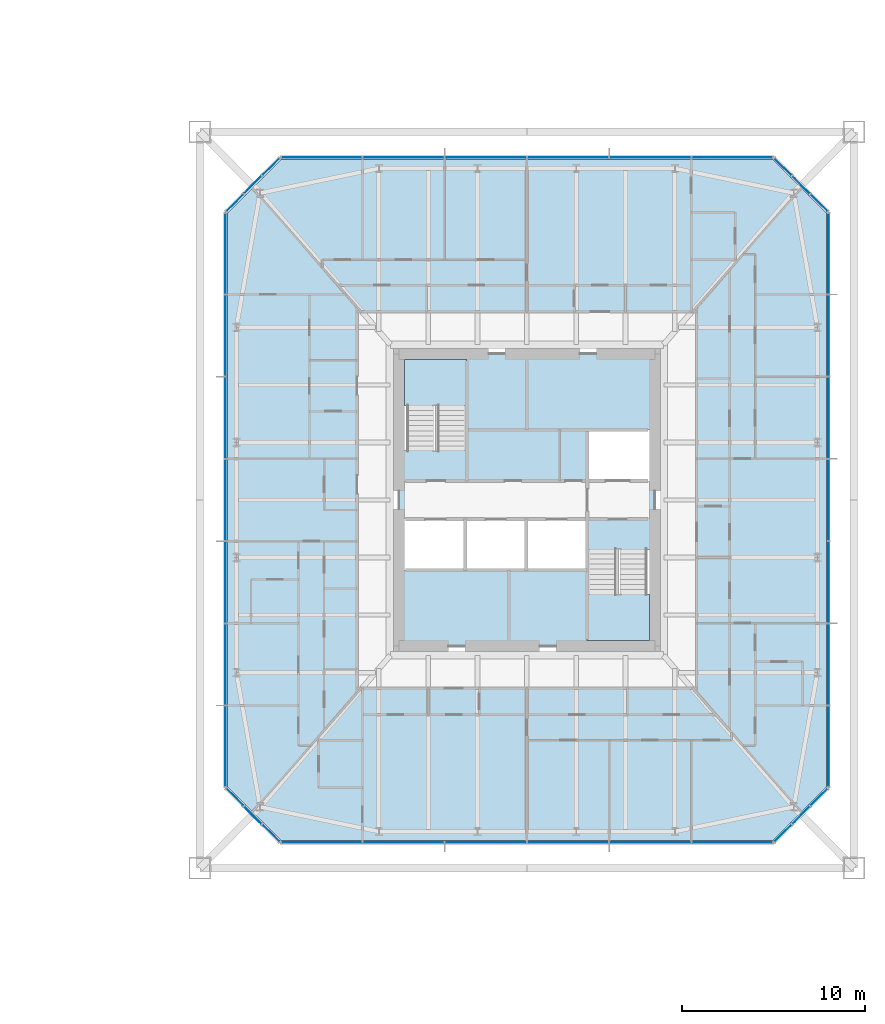
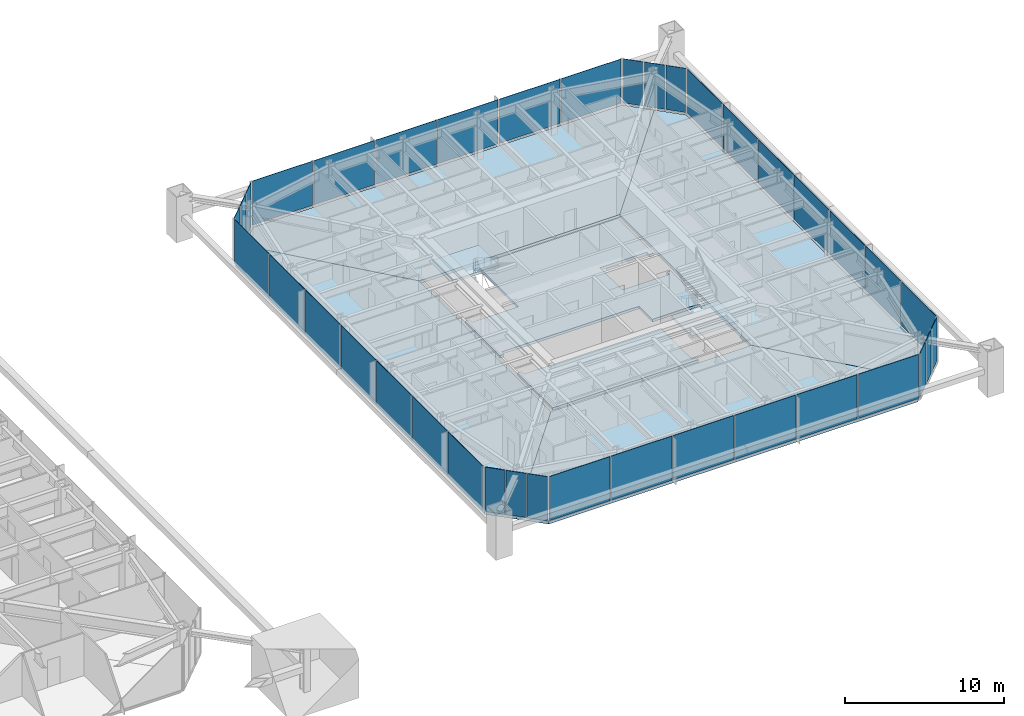
# One storey, part 14 of 27: 38 plates, 8 slabs, 10 elements without a shape of their own.
"""IFC4 building model written with IfcOpenShell, lengths in metres."""

import ifcopenshell
import ifcopenshell.guid

model = None  # the IFC model being written
_history = None  # IfcOwnerHistory: only IFC2X3 demands one
_inside = {}  # id of a spatial element -> (the spatial element, [elements in it])
_under = {}  # id of a project, library or spatial element -> (it, [spatial elements below it])
_declared = {}  # id of a project -> (the project, [libraries it declares])
_typed = {}  # id of a type object -> (the type object, [elements of that type])
_made_of = {}  # id of a material, layer set ... -> (it, [elements and type objects made of it])


def new_model(schema):
    """Start an empty IFC model of exactly this schema.

    Asked for "IFC4X3", IfcOpenShell would pick the latest addendum, in which some entities
    have other attributes; the version numbers below select the first issue.
    IFC2X3 requires an IfcOwnerHistory on every rooted entity: one is made here for all.
    """
    global model, _history
    if schema == "IFC4X3":
        model = ifcopenshell.file(schema_version=(4, 3, 0, 0))
    else:
        model = ifcopenshell.file(schema=schema)
    _inside.clear()
    _under.clear()
    _declared.clear()
    _typed.clear()
    _made_of.clear()
    _history = None
    if model.schema == "IFC2X3":
        org = make("IfcOrganization", Name="unknown")
        user = make(
            "IfcPersonAndOrganization",
            ThePerson=make("IfcPerson", FamilyName="unknown"),
            TheOrganization=org,
        )
        app = make(
            "IfcApplication",
            ApplicationDeveloper=org,
            Version="unknown",
            ApplicationFullName="unknown",
            ApplicationIdentifier="unknown",
        )
        _history = make(
            "IfcOwnerHistory",
            OwningUser=user,
            OwningApplication=app,
            ChangeAction="ADDED",
            CreationDate=0,
        )
    return model


def make(cls, **values):
    """One entity of the class cls with the attributes given. An attribute that is None is left unset."""
    return model.create_entity(
        cls, **{name: value for name, value in values.items() if value is not None}
    )


def rooted(cls, **values):
    """An entity with a GlobalId (a new one), such as an element, a storey or a relation."""
    return make(cls, GlobalId=ifcopenshell.guid.new(), OwnerHistory=_history, **values)


def si_unit(unit_type, name, prefix=None):
    """IfcSIUnit, for example si_unit("LENGTHUNIT", "METRE", prefix="MILLI")."""
    return make("IfcSIUnit", UnitType=unit_type, Prefix=prefix, Name=name)


def assignment(units):
    """IfcUnitAssignment: the units of a project."""
    return None if units is None else make("IfcUnitAssignment", Units=units)


def point(xyz):
    """IfcCartesianPoint."""
    return None if xyz is None else make("IfcCartesianPoint", Coordinates=xyz)


def direction(xyz):
    """IfcDirection."""
    return None if xyz is None else make("IfcDirection", DirectionRatios=xyz)


def frame(location, z_axis=None, x_axis=None):
    """IfcAxis2Placement3D, a coordinate frame: its origin and axes. An axis left out is left unset."""
    return make(
        "IfcAxis2Placement3D",
        Location=point(location),
        Axis=direction(z_axis),
        RefDirection=direction(x_axis),
    )


def frame_2d(location, x_axis=None):
    """IfcAxis2Placement2D, a coordinate frame in the plane: its origin and x axis."""
    return make(
        "IfcAxis2Placement2D", Location=point(location), RefDirection=direction(x_axis)
    )


def origin():
    """The frame at (0, 0, 0) with its axes left unset."""
    return frame((0.0, 0.0, 0.0))


def origin_2d():
    """The frame at (0, 0) in the plane with its x axis left unset."""
    return frame_2d((0.0, 0.0))


def place(relative_to, where):
    """IfcLocalPlacement: puts the frame where relative to a parent placement (None: the world)."""
    return make(
        "IfcLocalPlacement", PlacementRelTo=relative_to, RelativePlacement=where
    )


def context(
    kind, dimensions, precision=None, world=None, true_north=None, identifier=None
):
    """IfcGeometricRepresentationContext, for example the 3D "Model" context."""
    return make(
        "IfcGeometricRepresentationContext",
        ContextIdentifier=identifier,
        ContextType=kind,
        CoordinateSpaceDimension=dimensions,
        Precision=precision,
        WorldCoordinateSystem=world,
        TrueNorth=true_north,
    )


def subcontext(parent, identifier, kind, view, scale=None):
    """IfcGeometricRepresentationSubContext, for example "Body" below "Model"."""
    return make(
        "IfcGeometricRepresentationSubContext",
        ContextIdentifier=identifier,
        ContextType=kind,
        ParentContext=parent,
        TargetScale=scale,
        TargetView=view,
    )


def project(units=None, contexts=None):
    """IfcProject with its units and contexts."""
    return rooted(
        "IfcProject",
        Name="project",
        RepresentationContexts=contexts,
        UnitsInContext=assignment(units),
    )


def spatial(cls, under=None, at=None, **own):
    """A site, building, storey or space (cls), placed at a placement, below another one or the project."""
    s = rooted(cls, ObjectPlacement=at, **own)
    if under is not None:
        _under.setdefault(under.id(), (under, []))[1].append(s)
    return s


def polyline(points):
    """IfcPolyline through the points."""
    return make("IfcPolyline", Points=[point(p) for p in points])


def profile(cls, at=None, kind="AREA", **sizes):
    """A parametric profile (cls). Its sizes go by their IFC names, for example OverallWidth=200.0."""
    return make(cls, ProfileType=kind, Position=at, **sizes)


def rectangle(**sizes):
    """IfcRectangleProfileDef."""
    return profile("IfcRectangleProfileDef", **sizes)


def outline(outer, holes=None, kind="AREA"):
    """IfcArbitraryClosedProfileDef: a profile drawn as a closed curve; with holes, ...WithVoids."""
    if holes is None:
        return make("IfcArbitraryClosedProfileDef", ProfileType=kind, OuterCurve=outer)
    return make(
        "IfcArbitraryProfileDefWithVoids",
        ProfileType=kind,
        OuterCurve=outer,
        InnerCurves=holes,
    )


def extrude(swept, where, along, depth):
    """IfcExtrudedAreaSolid: the profile swept, set in the frame where, extruded along a direction by depth."""
    return make(
        "IfcExtrudedAreaSolid",
        SweptArea=swept,
        Position=where,
        ExtrudedDirection=direction(along),
        Depth=depth,
    )


def shape(context_of_items, identifier, shape_type, items):
    """IfcShapeRepresentation: the items that make up one representation, for example the "Body"."""
    return make(
        "IfcShapeRepresentation",
        ContextOfItems=context_of_items,
        RepresentationIdentifier=identifier,
        RepresentationType=shape_type,
        Items=items,
    )


def material(Name=None, Category=None):
    """IfcMaterial."""
    return make("IfcMaterial", Name=Name, Category=Category)


def layer(
    of_material, thickness, ventilated=None, Name=None, Category=None, Priority=None
):
    """IfcMaterialLayer: one layer of a wall or slab, of a material (None: an air gap)."""
    return make(
        "IfcMaterialLayer",
        Material=of_material,
        LayerThickness=thickness,
        IsVentilated=ventilated,
        Name=Name,
        Category=Category,
        Priority=Priority,
    )


def layer_set(layers, Name=None):
    """IfcMaterialLayerSet."""
    return make("IfcMaterialLayerSet", MaterialLayers=layers, LayerSetName=Name)


def constituent(of_material, Name=None, Category=None, fraction=None):
    """IfcMaterialConstituent: one of the materials an element consists of."""
    return make(
        "IfcMaterialConstituent",
        Name=Name,
        Material=of_material,
        Fraction=fraction,
        Category=Category,
    )


def constituent_set(constituents=None, Name=None):
    """IfcMaterialConstituentSet."""
    return make(
        "IfcMaterialConstituentSet", Name=Name, MaterialConstituents=constituents
    )


def made_of(thing, what):
    """Note that an element or type object is made of a material, layer set ...; save() writes the relation."""
    if what is not None:
        _made_of.setdefault(what.id(), (what, []))[1].append(thing)
    return thing


def type_object(cls, material=None, **own):
    """A type object (cls), such as IfcWallType, which elements share."""
    return made_of(rooted(cls, **own), material)


def element(
    cls,
    number,
    at=None,
    inside=None,
    cuts=None,
    type_object=None,
    material=None,
    context=None,
    identifier="Body",
    shape_type=None,
    held_by="IfcProductDefinitionShape",
    body=None,
    shapes=None,
    **own,
):
    """One element of the class cls, such as IfcWall. Its Tag is "e" and its number.

    at: its placement. inside: the storey or other place that contains it. cuts: it is an
    opening in that element (IfcRelVoidsElement). A single representation is given by context,
    identifier, shape_type and body (its items); several are given by shapes. held_by: the class
    of the entity that holds the representations. save() writes the other relations.
    """
    e = rooted(cls, Tag="e%d" % number, ObjectPlacement=at, **own)
    if body is not None:
        shapes = [shape(context, identifier, shape_type, body)]
    if shapes is not None:
        e.Representation = make(held_by, Representations=shapes)
    if inside is not None:
        _inside.setdefault(inside.id(), (inside, []))[1].append(e)
    if cuts is not None:
        rooted(
            "IfcRelVoidsElement", RelatingBuildingElement=cuts, RelatedOpeningElement=e
        )
    if type_object is not None:
        _typed.setdefault(type_object.id(), (type_object, []))[1].append(e)
    return made_of(e, material)


def aggregate(whole, parts):
    """IfcRelAggregates: a whole, such as a stair, and the parts it consists of."""
    return rooted("IfcRelAggregates", RelatingObject=whole, RelatedObjects=parts)


def save(model, path):
    """Write the relations noted so far, then the file.

    IfcRelAggregates (storeys below a building ...), IfcRelContainedInSpatialStructure (elements
    in a storey), IfcRelDefinesByType, IfcRelAssociatesMaterial and IfcRelDeclares: one each for
    every whole, place, type object, material and project.
    """
    for whole, parts in _under.values():
        aggregate(whole, parts)
    for where, things in _inside.values():
        rooted(
            "IfcRelContainedInSpatialStructure",
            RelatedElements=things,
            RelatingStructure=where,
        )
    for kind, things in _typed.values():
        rooted("IfcRelDefinesByType", RelatedObjects=things, RelatingType=kind)
    for what, things in _made_of.values():
        rooted("IfcRelAssociatesMaterial", RelatedObjects=things, RelatingMaterial=what)
    for by, libraries in _declared.values():
        rooted("IfcRelDeclares", RelatingContext=by, RelatedDefinitions=libraries)
    model.write(path)


model = new_model("IFC4")

# Units and contexts
model_context = context("Model", 3, precision=1e-05, world=origin(), true_north=direction((0.0, 1.0)))
body_context = subcontext(model_context, "Body", "Model", "MODEL_VIEW")
ifc_project = project(units=[si_unit("LENGTHUNIT", "METRE"), si_unit("AREAUNIT", "SQUARE_METRE"), si_unit("VOLUMEUNIT", "CUBIC_METRE"), si_unit("PLANEANGLEUNIT", "RADIAN"), si_unit("MASSUNIT", "GRAM", prefix="KILO")], contexts=[model_context])

# Site, building, storey
site_placement = place(None, origin())
site = spatial("IfcSite", under=ifc_project, at=site_placement, CompositionType="ELEMENT")
building_placement = place(site_placement, origin())
building = spatial("IfcBuilding", under=site, at=building_placement, Name="Iwan Alto Co-Living Towers", CompositionType="ELEMENT")
storey_placement = place(building_placement, frame((0.0, 0.0, 53.5)))
storey = spatial("IfcBuildingStorey", under=building, at=storey_placement, Name="L14", CompositionType="ELEMENT", Elevation=53.5)

# Slabs
ifc_material_1 = material(Name="Concrete f'c 30 MPa", Category="concrete")
ifc_layer_1 = layer(ifc_material_1, 0.199951171875)
ifc_layer_set_1 = layer_set([ifc_layer_1], Name="CORE FLOOR SLAB 200")
slab_type_1 = type_object("IfcSlabType", Name="CORE FLOOR SLAB 200", PredefinedType="FLOOR", material=ifc_layer_set_1)
slab_1_placement = place(storey_placement, frame((0.0, 0.0, -0.199951171875)))
element("IfcSlab", 1, at=slab_1_placement, inside=storey, type_object=slab_type_1, Name="T2 core floor L14", PredefinedType="FLOOR", context=body_context, shape_type="SweptSolid", body=[
    extrude(outline(polyline([(70.0, -3.030029296875), (69.699951171875, -3.030029296875), (69.699951171875, -2.719970703125), (66.300048828125, -2.719970703125), (66.300048828125, -1.050048828125), (62.967041015625, -1.050048828125), (59.633056640625, -1.050048828125), (56.300048828125, -1.050048828125), (56.300048828125, -1.360107421875), (56.0, -1.360107421875), (56.0, 3.030029296875), (56.300048828125, 3.030029296875), (56.300048828125, 2.719970703125), (59.699951171875, 2.719970703125), (59.699951171875, 7.699951171875), (59.389892578125, 7.699951171875), (59.389892578125, 8.0), (70.0, 8.0), (70.0, 3.5400390625), (69.699951171875, 3.5400390625), (69.699951171875, 3.85009765625), (66.300048828125, 3.85009765625), (66.300048828125, 1.050048828125), (69.699951171875, 1.050048828125), (69.699951171875, 1.360107421875), (70.0, 1.360107421875), (70.0, -3.030029296875)])), origin(), (0.0, 0.0, 1.0), 0.199951171875),
])
slab_2_placement = place(storey_placement, frame((0.0, 0.0, -0.199951171875)))
element("IfcSlab", 2, at=slab_2_placement, inside=storey, type_object=slab_type_1, Name="T2 core floor L14", PredefinedType="FLOOR", context=body_context, shape_type="SweptSolid", body=[
    extrude(outline(polyline([(62.967041015625, -3.85009765625), (66.300048828125, -3.85009765625), (66.300048828125, -7.699951171875), (66.610107421875, -7.699951171875), (66.610107421875, -8.0), (56.0, -8.0), (56.0, -3.5400390625), (56.300048828125, -3.5400390625), (56.300048828125, -3.85009765625), (59.633056640625, -3.85009765625), (62.967041015625, -3.85009765625)])), origin(), (0.0, 0.0, 1.0), 0.199951171875),
])

# Curtain wall, plates
ifc_material_2 = material(Name="Bronze aluminium unitised frame", Category="aluminium")
curtain_wall_type_1 = type_object("IfcCurtainWallType", Name="CURTAIN WALL CW-C", PredefinedType="NOTDEFINED", material=ifc_material_2)
curtain_wall_1_placement = place(storey_placement, origin())
curtain_wall_1 = element("IfcCurtainWall", 3, at=curtain_wall_1_placement, inside=storey, type_object=curtain_wall_type_1, Name="T2 curtain wall S L14", PredefinedType="NOTDEFINED")
ifc_material_3 = material(Name="Bronze-tinted insulating glass", Category="glass")
ifc_layer_2 = layer(ifc_material_3, 0.031982421875)
ifc_layer_set_2 = layer_set([ifc_layer_2], Name="CW-C PANEL TINTED IGU 32")
plate_type_1 = type_object("IfcPlateType", Name="CW-C PANEL TINTED IGU 32", PredefinedType="CURTAIN_PANEL", material=ifc_layer_set_2)
plate_1_placement = place(storey_placement, frame((51.77001953125, -18.75, 0.10009765625), z_axis=(0.0, 0.0, 1.0), x_axis=(1.0, 0.0, 0.0)))
plate_1 = element("IfcPlate", 4, at=plate_1_placement, type_object=plate_type_1, Name="CW-C panel 1.1", PredefinedType="CURTAIN_PANEL", context=body_context, shape_type="SweptSolid", body=[
    extrude(rectangle(XDim=4.3798828125, YDim=0.031982421875, at=origin_2d()), origin(), (0.0, 0.0, 1.0), 3.39990234375),
])
plate_2_placement = place(storey_placement, frame((56.25, -18.75, 0.10009765625), z_axis=(0.0, 0.0, 1.0), x_axis=(1.0, 0.0, 0.0)))
plate_2 = element("IfcPlate", 5, at=plate_2_placement, type_object=plate_type_1, Name="CW-C panel 2.1", PredefinedType="CURTAIN_PANEL", context=body_context, shape_type="SweptSolid", body=[
    extrude(rectangle(XDim=4.419921875, YDim=0.031982421875, at=origin_2d()), origin(), (0.0, 0.0, 1.0), 3.39990234375),
])
plate_3_placement = place(storey_placement, frame((69.75, -18.75, 0.10009765625), z_axis=(0.0, 0.0, 1.0), x_axis=(1.0, 0.0, 0.0)))
plate_3 = element("IfcPlate", 6, at=plate_3_placement, type_object=plate_type_1, Name="CW-C panel 5.1", PredefinedType="CURTAIN_PANEL", context=body_context, shape_type="SweptSolid", body=[
    extrude(rectangle(XDim=4.419921875, YDim=0.031982421875, at=origin_2d()), origin(), (0.0, 0.0, 1.0), 3.39990234375),
])
plate_4_placement = place(storey_placement, frame((74.22998046875, -18.75, 0.10009765625), z_axis=(0.0, 0.0, 1.0), x_axis=(1.0, 0.0, 0.0)))
plate_4 = element("IfcPlate", 7, at=plate_4_placement, type_object=plate_type_1, Name="CW-C panel 6.1", PredefinedType="CURTAIN_PANEL", context=body_context, shape_type="SweptSolid", body=[
    extrude(rectangle(XDim=4.3798828125, YDim=0.031982421875, at=origin_2d()), origin(), (0.0, 0.0, 1.0), 3.39990234375),
])

curtain_wall_2_placement = place(storey_placement, origin())
curtain_wall_2 = element("IfcCurtainWall", 8, at=curtain_wall_2_placement, inside=storey, type_object=curtain_wall_type_1, Name="T2 curtain wall E L14", PredefinedType="NOTDEFINED")
plate_5_placement = place(storey_placement, frame((79.5, -13.47998046875, 0.10009765625), z_axis=(0.0, 0.0, 1.0), x_axis=(0.0, 1.0, 0.0)))
plate_5 = element("IfcPlate", 9, at=plate_5_placement, type_object=plate_type_1, Name="CW-C panel 1.1", PredefinedType="CURTAIN_PANEL", context=body_context, shape_type="SweptSolid", body=[
    extrude(rectangle(XDim=4.3798828125, YDim=0.031982421875, at=origin_2d()), origin(), (0.0, 0.0, 1.0), 3.39990234375),
])
plate_6_placement = place(storey_placement, frame((79.5, -9.0, 0.10009765625), z_axis=(0.0, 0.0, 1.0), x_axis=(0.0, 1.0, 0.0)))
plate_6 = element("IfcPlate", 10, at=plate_6_placement, type_object=plate_type_1, Name="CW-C panel 2.1", PredefinedType="CURTAIN_PANEL", context=body_context, shape_type="SweptSolid", body=[
    extrude(rectangle(XDim=4.419921875, YDim=0.031982421875, at=origin_2d()), origin(), (0.0, 0.0, 1.0), 3.39990234375),
])
plate_7_placement = place(storey_placement, frame((79.5, -4.5, 0.10009765625), z_axis=(0.0, 0.0, 1.0), x_axis=(0.0, 1.0, 0.0)))
plate_7 = element("IfcPlate", 11, at=plate_7_placement, type_object=plate_type_1, Name="CW-C panel 3.1", PredefinedType="CURTAIN_PANEL", context=body_context, shape_type="SweptSolid", body=[
    extrude(rectangle(XDim=4.419921875, YDim=0.031982421875, at=origin_2d()), origin(), (0.0, 0.0, 1.0), 3.39990234375),
])
plate_8_placement = place(storey_placement, frame((79.5, 4.5, 0.10009765625), z_axis=(0.0, 0.0, 1.0), x_axis=(0.0, 1.0, 0.0)))
plate_8 = element("IfcPlate", 12, at=plate_8_placement, type_object=plate_type_1, Name="CW-C panel 5.1", PredefinedType="CURTAIN_PANEL", context=body_context, shape_type="SweptSolid", body=[
    extrude(rectangle(XDim=4.419921875, YDim=0.031982421875, at=origin_2d()), origin(), (0.0, 0.0, 1.0), 3.39990234375),
])
plate_9_placement = place(storey_placement, frame((79.5, 9.0, 0.10009765625), z_axis=(0.0, 0.0, 1.0), x_axis=(0.0, 1.0, 0.0)))
plate_9 = element("IfcPlate", 13, at=plate_9_placement, type_object=plate_type_1, Name="CW-C panel 6.1", PredefinedType="CURTAIN_PANEL", context=body_context, shape_type="SweptSolid", body=[
    extrude(rectangle(XDim=4.419921875, YDim=0.031982421875, at=origin_2d()), origin(), (0.0, 0.0, 1.0), 3.39990234375),
])
plate_10_placement = place(storey_placement, frame((79.5, 13.47998046875, 0.10009765625), z_axis=(0.0, 0.0, 1.0), x_axis=(0.0, 1.0, 0.0)))
plate_10 = element("IfcPlate", 14, at=plate_10_placement, type_object=plate_type_1, Name="CW-C panel 7.1", PredefinedType="CURTAIN_PANEL", context=body_context, shape_type="SweptSolid", body=[
    extrude(rectangle(XDim=4.3798828125, YDim=0.031982421875, at=origin_2d()), origin(), (0.0, 0.0, 1.0), 3.39990234375),
])

curtain_wall_3_placement = place(storey_placement, origin())
curtain_wall_3 = element("IfcCurtainWall", 15, at=curtain_wall_3_placement, inside=storey, type_object=curtain_wall_type_1, Name="T2 curtain wall N L14", PredefinedType="NOTDEFINED")
plate_11_placement = place(storey_placement, frame((74.22998046875, 18.75, 0.10009765625), z_axis=(0.0, 0.0, 1.0), x_axis=(-1.0, 0.0, 0.0)))
plate_11 = element("IfcPlate", 16, at=plate_11_placement, type_object=plate_type_1, Name="CW-C panel 1.1", PredefinedType="CURTAIN_PANEL", context=body_context, shape_type="SweptSolid", body=[
    extrude(rectangle(XDim=4.3798828125, YDim=0.031982421875, at=origin_2d()), origin(), (0.0, 0.0, 1.0), 3.39990234375),
])
plate_12_placement = place(storey_placement, frame((69.75, 18.75, 0.10009765625), z_axis=(0.0, 0.0, 1.0), x_axis=(-1.0, 0.0, 0.0)))
plate_12 = element("IfcPlate", 17, at=plate_12_placement, type_object=plate_type_1, Name="CW-C panel 2.1", PredefinedType="CURTAIN_PANEL", context=body_context, shape_type="SweptSolid", body=[
    extrude(rectangle(XDim=4.419921875, YDim=0.031982421875, at=origin_2d()), origin(), (0.0, 0.0, 1.0), 3.39990234375),
])
plate_13_placement = place(storey_placement, frame((56.25, 18.75, 0.10009765625), z_axis=(0.0, 0.0, 1.0), x_axis=(-1.0, 0.0, 0.0)))
plate_13 = element("IfcPlate", 18, at=plate_13_placement, type_object=plate_type_1, Name="CW-C panel 5.1", PredefinedType="CURTAIN_PANEL", context=body_context, shape_type="SweptSolid", body=[
    extrude(rectangle(XDim=4.419921875, YDim=0.031982421875, at=origin_2d()), origin(), (0.0, 0.0, 1.0), 3.39990234375),
])
plate_14_placement = place(storey_placement, frame((51.77001953125, 18.75, 0.10009765625), z_axis=(0.0, 0.0, 1.0), x_axis=(-1.0, 0.0, 0.0)))
plate_14 = element("IfcPlate", 19, at=plate_14_placement, type_object=plate_type_1, Name="CW-C panel 6.1", PredefinedType="CURTAIN_PANEL", context=body_context, shape_type="SweptSolid", body=[
    extrude(rectangle(XDim=4.3798828125, YDim=0.031982421875, at=origin_2d()), origin(), (0.0, 0.0, 1.0), 3.39990234375),
])

curtain_wall_4_placement = place(storey_placement, origin())
curtain_wall_4 = element("IfcCurtainWall", 20, at=curtain_wall_4_placement, inside=storey, type_object=curtain_wall_type_1, Name="T2 curtain wall W L14", PredefinedType="NOTDEFINED")
plate_15_placement = place(storey_placement, frame((46.5, 13.47998046875, 0.10009765625), z_axis=(0.0, 0.0, 1.0), x_axis=(0.0, -1.0, 0.0)))
plate_15 = element("IfcPlate", 21, at=plate_15_placement, type_object=plate_type_1, Name="CW-C panel 1.1", PredefinedType="CURTAIN_PANEL", context=body_context, shape_type="SweptSolid", body=[
    extrude(rectangle(XDim=4.3798828125, YDim=0.031982421875, at=origin_2d()), origin(), (0.0, 0.0, 1.0), 3.39990234375),
])
plate_16_placement = place(storey_placement, frame((46.5, 9.0, 0.10009765625), z_axis=(0.0, 0.0, 1.0), x_axis=(0.0, -1.0, 0.0)))
plate_16 = element("IfcPlate", 22, at=plate_16_placement, type_object=plate_type_1, Name="CW-C panel 2.1", PredefinedType="CURTAIN_PANEL", context=body_context, shape_type="SweptSolid", body=[
    extrude(rectangle(XDim=4.419921875, YDim=0.031982421875, at=origin_2d()), origin(), (0.0, 0.0, 1.0), 3.39990234375),
])
plate_17_placement = place(storey_placement, frame((46.5, 4.5, 0.10009765625), z_axis=(0.0, 0.0, 1.0), x_axis=(0.0, -1.0, 0.0)))
plate_17 = element("IfcPlate", 23, at=plate_17_placement, type_object=plate_type_1, Name="CW-C panel 3.1", PredefinedType="CURTAIN_PANEL", context=body_context, shape_type="SweptSolid", body=[
    extrude(rectangle(XDim=4.419921875, YDim=0.031982421875, at=origin_2d()), origin(), (0.0, 0.0, 1.0), 3.39990234375),
])
plate_18_placement = place(storey_placement, frame((46.5, -4.5, 0.10009765625), z_axis=(0.0, 0.0, 1.0), x_axis=(0.0, -1.0, 0.0)))
plate_18 = element("IfcPlate", 24, at=plate_18_placement, type_object=plate_type_1, Name="CW-C panel 5.1", PredefinedType="CURTAIN_PANEL", context=body_context, shape_type="SweptSolid", body=[
    extrude(rectangle(XDim=4.419921875, YDim=0.031982421875, at=origin_2d()), origin(), (0.0, 0.0, 1.0), 3.39990234375),
])
plate_19_placement = place(storey_placement, frame((46.5, -9.0, 0.10009765625), z_axis=(0.0, 0.0, 1.0), x_axis=(0.0, -1.0, 0.0)))
plate_19 = element("IfcPlate", 25, at=plate_19_placement, type_object=plate_type_1, Name="CW-C panel 6.1", PredefinedType="CURTAIN_PANEL", context=body_context, shape_type="SweptSolid", body=[
    extrude(rectangle(XDim=4.419921875, YDim=0.031982421875, at=origin_2d()), origin(), (0.0, 0.0, 1.0), 3.39990234375),
])
plate_20_placement = place(storey_placement, frame((46.5, -13.47998046875, 0.10009765625), z_axis=(0.0, 0.0, 1.0), x_axis=(0.0, -1.0, 0.0)))
plate_20 = element("IfcPlate", 26, at=plate_20_placement, type_object=plate_type_1, Name="CW-C panel 7.1", PredefinedType="CURTAIN_PANEL", context=body_context, shape_type="SweptSolid", body=[
    extrude(rectangle(XDim=4.3798828125, YDim=0.031982421875, at=origin_2d()), origin(), (0.0, 0.0, 1.0), 3.39990234375),
])

# Plate
ifc_material_4 = material(Name="Insulated bronze aluminium spandrel panel", Category="aluminium")
ifc_layer_3 = layer(ifc_material_4, 0.031982421875)
ifc_layer_set_3 = layer_set([ifc_layer_3], Name="CW-C SPANDREL PANEL 32")
plate_type_2 = type_object("IfcPlateType", Name="CW-C SPANDREL PANEL 32", PredefinedType="CURTAIN_PANEL", material=ifc_layer_set_3)
plate_21_placement = place(storey_placement, frame((60.75, -18.75, 0.10009765625), z_axis=(0.0, 0.0, 1.0), x_axis=(1.0, 0.0, 0.0)))
plate_21 = element("IfcPlate", 27, at=plate_21_placement, type_object=plate_type_2, Name="CW-C spandrel panel 3.1 (braced bay)", PredefinedType="CURTAIN_PANEL", context=body_context, shape_type="SweptSolid", body=[
    extrude(rectangle(XDim=4.419921875, YDim=0.031982421875, at=origin_2d()), origin(), (0.0, 0.0, 1.0), 3.39990234375),
])

plate_22_placement = place(storey_placement, frame((65.25, -18.75, 0.10009765625), z_axis=(0.0, 0.0, 1.0), x_axis=(1.0, 0.0, 0.0)))
plate_22 = element("IfcPlate", 28, at=plate_22_placement, type_object=plate_type_2, Name="CW-C spandrel panel 4.1 (braced bay)", PredefinedType="CURTAIN_PANEL", context=body_context, shape_type="SweptSolid", body=[
    extrude(rectangle(XDim=4.419921875, YDim=0.031982421875, at=origin_2d()), origin(), (0.0, 0.0, 1.0), 3.39990234375),
])

aggregate(curtain_wall_1, [plate_1, plate_2, plate_3, plate_4, plate_21, plate_22])

plate_23_placement = place(storey_placement, frame((79.5, 0.0, 0.10009765625), z_axis=(0.0, 0.0, 1.0), x_axis=(0.0, 1.0, 0.0)))
plate_23 = element("IfcPlate", 29, at=plate_23_placement, type_object=plate_type_2, Name="CW-C spandrel panel 4.1 (braced bay)", PredefinedType="CURTAIN_PANEL", context=body_context, shape_type="SweptSolid", body=[
    extrude(rectangle(XDim=4.419921875, YDim=0.031982421875, at=origin_2d()), origin(), (0.0, 0.0, 1.0), 3.39990234375),
])

aggregate(curtain_wall_2, [plate_5, plate_6, plate_7, plate_8, plate_9, plate_10, plate_23])

plate_24_placement = place(storey_placement, frame((65.25, 18.75, 0.10009765625), z_axis=(0.0, 0.0, 1.0), x_axis=(-1.0, 0.0, 0.0)))
plate_24 = element("IfcPlate", 30, at=plate_24_placement, type_object=plate_type_2, Name="CW-C spandrel panel 3.1 (braced bay)", PredefinedType="CURTAIN_PANEL", context=body_context, shape_type="SweptSolid", body=[
    extrude(rectangle(XDim=4.419921875, YDim=0.031982421875, at=origin_2d()), origin(), (0.0, 0.0, 1.0), 3.39990234375),
])

plate_25_placement = place(storey_placement, frame((60.75, 18.75, 0.10009765625), z_axis=(0.0, 0.0, 1.0), x_axis=(-1.0, 0.0, 0.0)))
plate_25 = element("IfcPlate", 31, at=plate_25_placement, type_object=plate_type_2, Name="CW-C spandrel panel 4.1 (braced bay)", PredefinedType="CURTAIN_PANEL", context=body_context, shape_type="SweptSolid", body=[
    extrude(rectangle(XDim=4.419921875, YDim=0.031982421875, at=origin_2d()), origin(), (0.0, 0.0, 1.0), 3.39990234375),
])

aggregate(curtain_wall_3, [plate_11, plate_12, plate_13, plate_14, plate_24, plate_25])

plate_26_placement = place(storey_placement, frame((46.5, 0.0, 0.10009765625), z_axis=(0.0, 0.0, 1.0), x_axis=(0.0, -1.0, 0.0)))
plate_26 = element("IfcPlate", 32, at=plate_26_placement, type_object=plate_type_2, Name="CW-C spandrel panel 4.1 (braced bay)", PredefinedType="CURTAIN_PANEL", context=body_context, shape_type="SweptSolid", body=[
    extrude(rectangle(XDim=4.419921875, YDim=0.031982421875, at=origin_2d()), origin(), (0.0, 0.0, 1.0), 3.39990234375),
])

aggregate(curtain_wall_4, [plate_15, plate_16, plate_17, plate_18, plate_19, plate_20, plate_26])

# Curtain wall, plates
ifc_material_5 = material(Name="Bronze aluminium unitised frame", Category="aluminium")
curtain_wall_type_2 = type_object("IfcCurtainWallType", Name="CURTAIN WALL CW-D", PredefinedType="NOTDEFINED", material=ifc_material_5)
curtain_wall_5_placement = place(storey_placement, origin())
curtain_wall_5 = element("IfcCurtainWall", 33, at=curtain_wall_5_placement, inside=storey, type_object=curtain_wall_type_2, Name="T2 chamfer curtain wall SE L14", PredefinedType="NOTDEFINED")
ifc_material_6 = material(Name="Bronze-tinted insulating glass", Category="glass")
ifc_layer_4 = layer(ifc_material_6, 0.031982421875)
ifc_layer_set_4 = layer_set([ifc_layer_4], Name="CW-D PANEL TINTED IGU 32")
plate_type_3 = type_object("IfcPlateType", Name="CW-D PANEL TINTED IGU 32", PredefinedType="CURTAIN_PANEL", material=ifc_layer_set_4)
plate_27_placement = place(storey_placement, frame((77.01416015625, -18.23583984375, 0.10009765625), z_axis=(0.0, 0.0, 1.0), x_axis=(0.707106781187, 0.707106781187, 0.0)))
plate_27 = element("IfcPlate", 34, at=plate_27_placement, type_object=plate_type_3, Name="CW-D panel 1.1", PredefinedType="CURTAIN_PANEL", context=body_context, shape_type="SweptSolid", body=[
    extrude(rectangle(XDim=1.294189453125, YDim=0.031982421875, at=origin_2d()), origin(), (0.0, 0.0, 1.0), 3.39990234375),
])
plate_28_placement = place(storey_placement, frame((78.0, -17.25, 0.10009765625), z_axis=(0.0, 0.0, 1.0), x_axis=(0.707106781187, 0.707106781187, 0.0)))
plate_28 = element("IfcPlate", 35, at=plate_28_placement, type_object=plate_type_3, Name="CW-D panel 2.1", PredefinedType="CURTAIN_PANEL", context=body_context, shape_type="SweptSolid", body=[
    extrude(rectangle(XDim=1.334228515625, YDim=0.031982421875, at=origin_2d()), origin(), (0.0, 0.0, 1.0), 3.39990234375),
])
plate_29_placement = place(storey_placement, frame((78.98583984375, -16.26416015625, 0.10009765625), z_axis=(0.0, 0.0, 1.0), x_axis=(0.707106781187, 0.707106781187, 0.0)))
plate_29 = element("IfcPlate", 36, at=plate_29_placement, type_object=plate_type_3, Name="CW-D panel 3.1", PredefinedType="CURTAIN_PANEL", context=body_context, shape_type="SweptSolid", body=[
    extrude(rectangle(XDim=1.294189453125, YDim=0.031982421875, at=origin_2d()), origin(), (0.0, 0.0, 1.0), 3.39990234375),
])
aggregate(curtain_wall_5, [plate_27, plate_28, plate_29])

curtain_wall_6_placement = place(storey_placement, origin())
curtain_wall_6 = element("IfcCurtainWall", 37, at=curtain_wall_6_placement, inside=storey, type_object=curtain_wall_type_2, Name="T2 chamfer curtain wall NE L14", PredefinedType="NOTDEFINED")
plate_30_placement = place(storey_placement, frame((78.98583984375, 16.26416015625, 0.10009765625), z_axis=(0.0, 0.0, 1.0), x_axis=(-0.707106781187, 0.707106781187, 0.0)))
plate_30 = element("IfcPlate", 38, at=plate_30_placement, type_object=plate_type_3, Name="CW-D panel 1.1", PredefinedType="CURTAIN_PANEL", context=body_context, shape_type="SweptSolid", body=[
    extrude(rectangle(XDim=1.294189453125, YDim=0.031982421875, at=origin_2d()), origin(), (0.0, 0.0, 1.0), 3.39990234375),
])
plate_31_placement = place(storey_placement, frame((78.0, 17.25, 0.10009765625), z_axis=(0.0, 0.0, 1.0), x_axis=(-0.707106781187, 0.707106781187, 0.0)))
plate_31 = element("IfcPlate", 39, at=plate_31_placement, type_object=plate_type_3, Name="CW-D panel 2.1", PredefinedType="CURTAIN_PANEL", context=body_context, shape_type="SweptSolid", body=[
    extrude(rectangle(XDim=1.334228515625, YDim=0.031982421875, at=origin_2d()), origin(), (0.0, 0.0, 1.0), 3.39990234375),
])
plate_32_placement = place(storey_placement, frame((77.01416015625, 18.23583984375, 0.10009765625), z_axis=(0.0, 0.0, 1.0), x_axis=(-0.707106781187, 0.707106781187, 0.0)))
plate_32 = element("IfcPlate", 40, at=plate_32_placement, type_object=plate_type_3, Name="CW-D panel 3.1", PredefinedType="CURTAIN_PANEL", context=body_context, shape_type="SweptSolid", body=[
    extrude(rectangle(XDim=1.294189453125, YDim=0.031982421875, at=origin_2d()), origin(), (0.0, 0.0, 1.0), 3.39990234375),
])
aggregate(curtain_wall_6, [plate_30, plate_31, plate_32])

curtain_wall_7_placement = place(storey_placement, origin())
curtain_wall_7 = element("IfcCurtainWall", 41, at=curtain_wall_7_placement, inside=storey, type_object=curtain_wall_type_2, Name="T2 chamfer curtain wall NW L14", PredefinedType="NOTDEFINED")
plate_33_placement = place(storey_placement, frame((48.98583984375, 18.23583984375, 0.10009765625), z_axis=(0.0, 0.0, 1.0), x_axis=(-0.707106781187, -0.707106781187, 0.0)))
plate_33 = element("IfcPlate", 42, at=plate_33_placement, type_object=plate_type_3, Name="CW-D panel 1.1", PredefinedType="CURTAIN_PANEL", context=body_context, shape_type="SweptSolid", body=[
    extrude(rectangle(XDim=1.294189453125, YDim=0.031982421875, at=origin_2d()), origin(), (0.0, 0.0, 1.0), 3.39990234375),
])
plate_34_placement = place(storey_placement, frame((48.0, 17.25, 0.10009765625), z_axis=(0.0, 0.0, 1.0), x_axis=(-0.707106781187, -0.707106781187, 0.0)))
plate_34 = element("IfcPlate", 43, at=plate_34_placement, type_object=plate_type_3, Name="CW-D panel 2.1", PredefinedType="CURTAIN_PANEL", context=body_context, shape_type="SweptSolid", body=[
    extrude(rectangle(XDim=1.334228515625, YDim=0.031982421875, at=origin_2d()), origin(), (0.0, 0.0, 1.0), 3.39990234375),
])
plate_35_placement = place(storey_placement, frame((47.01416015625, 16.26416015625, 0.10009765625), z_axis=(0.0, 0.0, 1.0), x_axis=(-0.707106781187, -0.707106781187, 0.0)))
plate_35 = element("IfcPlate", 44, at=plate_35_placement, type_object=plate_type_3, Name="CW-D panel 3.1", PredefinedType="CURTAIN_PANEL", context=body_context, shape_type="SweptSolid", body=[
    extrude(rectangle(XDim=1.294189453125, YDim=0.031982421875, at=origin_2d()), origin(), (0.0, 0.0, 1.0), 3.39990234375),
])
aggregate(curtain_wall_7, [plate_33, plate_34, plate_35])

curtain_wall_8_placement = place(storey_placement, origin())
curtain_wall_8 = element("IfcCurtainWall", 45, at=curtain_wall_8_placement, inside=storey, type_object=curtain_wall_type_2, Name="T2 chamfer curtain wall SW L14", PredefinedType="NOTDEFINED")
plate_36_placement = place(storey_placement, frame((47.01416015625, -16.26416015625, 0.10009765625), z_axis=(0.0, 0.0, 1.0), x_axis=(0.707106781187, -0.707106781187, 0.0)))
plate_36 = element("IfcPlate", 46, at=plate_36_placement, type_object=plate_type_3, Name="CW-D panel 1.1", PredefinedType="CURTAIN_PANEL", context=body_context, shape_type="SweptSolid", body=[
    extrude(rectangle(XDim=1.294189453125, YDim=0.031982421875, at=origin_2d()), origin(), (0.0, 0.0, 1.0), 3.39990234375),
])
plate_37_placement = place(storey_placement, frame((48.0, -17.25, 0.10009765625), z_axis=(0.0, 0.0, 1.0), x_axis=(0.707106781187, -0.707106781187, 0.0)))
plate_37 = element("IfcPlate", 47, at=plate_37_placement, type_object=plate_type_3, Name="CW-D panel 2.1", PredefinedType="CURTAIN_PANEL", context=body_context, shape_type="SweptSolid", body=[
    extrude(rectangle(XDim=1.334228515625, YDim=0.031982421875, at=origin_2d()), origin(), (0.0, 0.0, 1.0), 3.39990234375),
])
plate_38_placement = place(storey_placement, frame((48.98583984375, -18.23583984375, 0.10009765625), z_axis=(0.0, 0.0, 1.0), x_axis=(0.707106781187, -0.707106781187, 0.0)))
plate_38 = element("IfcPlate", 48, at=plate_38_placement, type_object=plate_type_3, Name="CW-D panel 3.1", PredefinedType="CURTAIN_PANEL", context=body_context, shape_type="SweptSolid", body=[
    extrude(rectangle(XDim=1.294189453125, YDim=0.031982421875, at=origin_2d()), origin(), (0.0, 0.0, 1.0), 3.39990234375),
])
aggregate(curtain_wall_8, [plate_36, plate_37, plate_38])

# Stair, slab
ifc_material_7 = material(Name="Steel ASTM A36", Category="steel")
ifc_constituent_1 = constituent(ifc_material_7, Name="Stringers", Category="LoadBearing")
ifc_material_8 = material(Name="Concrete f'c 30 MPa", Category="concrete")
ifc_constituent_2 = constituent(ifc_material_8, Name="Tread fill", Category="Finish")
ifc_constituent_set = constituent_set(constituents=[ifc_constituent_1, ifc_constituent_2], Name="STAIR 3500 TWO-FLIGHT T2 CORE")
stair_type = type_object("IfcStairType", Name="STAIR 3500 TWO-FLIGHT T2 CORE", PredefinedType="HALF_TURN_STAIR", material=ifc_constituent_set)
stair_1_placement = place(storey_placement, origin())
stair_1 = element("IfcStair", 49, at=stair_1_placement, inside=storey, type_object=stair_type, Name="Stair T2-S1 L14 to L15", PredefinedType="HALF_TURN_STAIR")
ifc_material_9 = material(Name="Concrete f'c 30 MPa", Category="concrete")
ifc_layer_5 = layer(ifc_material_9, 0.199951171875)
ifc_layer_set_5 = layer_set([ifc_layer_5], Name="STAIR LANDING 200")
slab_type_2 = type_object("IfcSlabType", Name="STAIR LANDING 200", PredefinedType="LANDING", material=ifc_layer_set_5)
slab_3_placement = place(storey_placement, frame((0.0, 0.0, 1.550048828125)))
slab_3 = element("IfcSlab", 50, at=slab_3_placement, type_object=slab_type_2, Name="T2-S1 landing 1", PredefinedType="LANDING", context=body_context, shape_type="SweptSolid", body=[
    extrude(outline(polyline([(56.300048828125, 5.139892578125), (56.300048828125, 7.699951171875), (59.699951171875, 7.699951171875), (59.699951171875, 5.139892578125), (56.300048828125, 5.139892578125)])), origin(), (0.0, 0.0, 1.0), 0.199951171875),
])
aggregate(stair_1, [slab_3])

stair_2_placement = place(storey_placement, origin())
stair_2 = element("IfcStair", 51, at=stair_2_placement, inside=storey, type_object=stair_type, Name="Stair T2-S2 L14 to L15", PredefinedType="HALF_TURN_STAIR")
slab_4_placement = place(storey_placement, frame((0.0, 0.0, 1.550048828125)))
slab_4 = element("IfcSlab", 52, at=slab_4_placement, type_object=slab_type_2, Name="T2-S2 landing 1", PredefinedType="LANDING", context=body_context, shape_type="SweptSolid", body=[
    extrude(outline(polyline([(66.300048828125, -5.139892578125), (66.300048828125, -7.699951171875), (69.699951171875, -7.699951171875), (69.699951171875, -5.139892578125), (66.300048828125, -5.139892578125)])), origin(), (0.0, 0.0, 1.0), 0.199951171875),
])
aggregate(stair_2, [slab_4])

# Slabs
ifc_material_10 = material(Name="Concrete f'c 30 MPa", Category="concrete")
ifc_layer_6 = layer(ifc_material_10, 0.22998046875)
ifc_layer_set_6 = layer_set([ifc_layer_6], Name="T2 FLOOR SLAB 230")
slab_type_3 = type_object("IfcSlabType", Name="T2 FLOOR SLAB 230", PredefinedType="FLOOR", material=ifc_layer_set_6)
slab_5_placement = place(storey_placement, frame((0.0, 0.0, -0.22998046875)))
element("IfcSlab", 53, at=slab_5_placement, inside=storey, type_object=slab_type_3, Name="T2 floor slab L14 S pour", PredefinedType="FLOOR", context=body_context, shape_type="SweptSolid", body=[
    extrude(outline(polyline([(76.44140625, -18.64990234375), (49.55859375, -18.64990234375), (48.07568359375, -17.1669921875), (55.699951171875, -8.300048828125), (70.300048828125, -8.300048828125), (77.92431640625, -17.1669921875), (76.44140625, -18.64990234375)])), origin(), (0.0, 0.0, 1.0), 0.22998046875),
])
slab_6_placement = place(storey_placement, frame((0.0, 0.0, -0.22998046875)))
element("IfcSlab", 54, at=slab_6_placement, inside=storey, type_object=slab_type_3, Name="T2 floor slab L14 E pour", PredefinedType="FLOOR", context=body_context, shape_type="SweptSolid", body=[
    extrude(outline(polyline([(79.39990234375, 15.69140625), (79.39990234375, -15.69140625), (77.92431640625, -17.1669921875), (70.300048828125, -8.300048828125), (70.300048828125, 8.300048828125), (77.92431640625, 17.1669921875), (79.39990234375, 15.69140625)])), origin(), (0.0, 0.0, 1.0), 0.22998046875),
])
slab_7_placement = place(storey_placement, frame((0.0, 0.0, -0.22998046875)))
element("IfcSlab", 55, at=slab_7_placement, inside=storey, type_object=slab_type_3, Name="T2 floor slab L14 N pour", PredefinedType="FLOOR", context=body_context, shape_type="SweptSolid", body=[
    extrude(outline(polyline([(49.55859375, 18.64990234375), (76.44140625, 18.64990234375), (77.92431640625, 17.1669921875), (70.300048828125, 8.300048828125), (55.699951171875, 8.300048828125), (48.07568359375, 17.1669921875), (49.55859375, 18.64990234375)])), origin(), (0.0, 0.0, 1.0), 0.22998046875),
])
slab_8_placement = place(storey_placement, frame((0.0, 0.0, -0.22998046875)))
element("IfcSlab", 56, at=slab_8_placement, inside=storey, type_object=slab_type_3, Name="T2 floor slab L14 W pour", PredefinedType="FLOOR", context=body_context, shape_type="SweptSolid", body=[
    extrude(outline(polyline([(46.60009765625, 15.69140625), (48.07568359375, 17.1669921875), (55.699951171875, 8.300048828125), (55.699951171875, -8.300048828125), (48.07568359375, -17.1669921875), (46.60009765625, -15.69140625), (46.60009765625, 15.69140625)])), origin(), (0.0, 0.0, 1.0), 0.22998046875),
])

save(model, "model.ifc")
